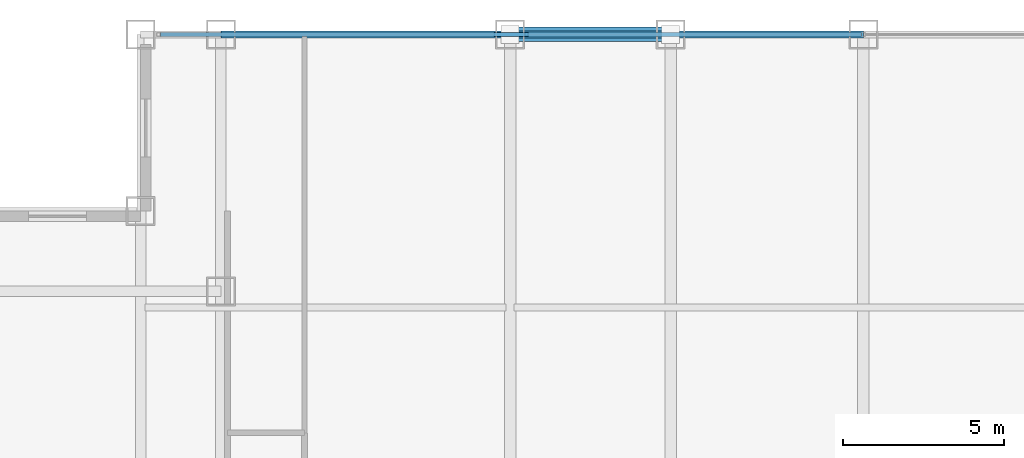
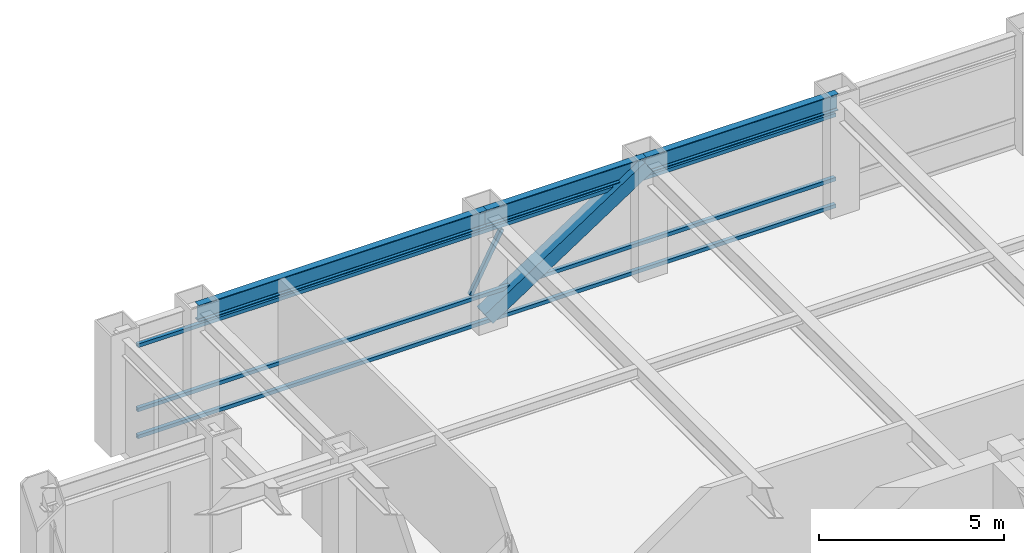
# One storey, part 13 of 22: 5 members, 3 beams, 1 element without a shape of its own.
"""IFC4 building model written with IfcOpenShell, lengths in metres."""

from ifc_helpers import new_model, si_unit, direction, frame, origin, origin_2d, place, context, subcontext, project, spatial, hollow_rectangle, i_section, extrude, source, transform, mapped, material, material_profile, profile_set, type_object, element, aggregate, save


model = new_model("IFC4")

# Units and contexts
model_context = context("Model", 3, precision=1e-05, world=origin(), true_north=direction((0.0, 1.0)))
body_context = subcontext(model_context, "Body", "Model", "MODEL_VIEW")
ifc_project = project(units=[si_unit("LENGTHUNIT", "METRE"), si_unit("AREAUNIT", "SQUARE_METRE"), si_unit("VOLUMEUNIT", "CUBIC_METRE"), si_unit("PLANEANGLEUNIT", "RADIAN"), si_unit("MASSUNIT", "GRAM", prefix="KILO")], contexts=[model_context])

# Site, building, storey
site_placement = place(None, origin())
site = spatial("IfcSite", under=ifc_project, at=site_placement, CompositionType="ELEMENT")
building_placement = place(site_placement, origin())
building = spatial("IfcBuilding", under=site, at=building_placement, Name="Khorayat Bourse Tower", CompositionType="ELEMENT")
storey_placement = place(building_placement, frame((0.0, 0.0, 289.5)))
storey = spatial("IfcBuildingStorey", under=building, at=storey_placement, Name="L68", CompositionType="ELEMENT", Elevation=289.5)

# Member
ifc_material_1 = material(Name="Steel EN 10025-4 S460M", Category="steel")
ifc_material_profile_1 = material_profile(ifc_material_1, hollow_rectangle(XDim=0.449951171875, YDim=0.449951171875, WallThickness=0.02490234375, at=origin_2d()), Name="HSS 450x450x25")
ifc_profile_set_1 = profile_set([ifc_material_profile_1], Name="Steel EN 10025-4 S460M")
member_type_1 = type_object("IfcMemberType", Name="MBR-TUBE-450", PredefinedType="BRACE", material=ifc_profile_set_1)
shared_shape_1 = source(origin(), body_context, "Body", "SweptSolid", [
    extrude(hollow_rectangle(XDim=0.449951171875, YDim=0.449951171875, WallThickness=0.02490234375, at=origin_2d()), origin(), (0.0, 0.0, 1.0), 5.979736328125),
])
member_1_placement = place(storey_placement, frame((-11.0, 28.0, 0.25), z_axis=(0.836141536525, 0.0, 0.548513747227), x_axis=(0.0, 1.0, 0.0)))
element("IfcMember", 1, at=member_1_placement, inside=storey, type_object=member_type_1, Name="L68 Perimeter Tube Brace 03", PredefinedType="BRACE", context=body_context, shape_type="MappedRepresentation", body=[
    mapped(shared_shape_1, transform((0.0, 0.0, 0.0), scale=1.0)),
])

# Beams
ifc_material_2 = material(Name="Steel ASTM A992 Grade 50", Category="steel")
ifc_material_profile_2 = material_profile(ifc_material_2, i_section(OverallWidth=0.214111328125, OverallDepth=0.549072265625, WebThickness=0.0146484375, FlangeThickness=0.023681640625, FilletRadius=0.013916015625, at=origin_2d()), Name="W530X138")
ifc_profile_set_2 = profile_set([ifc_material_profile_2], Name="Steel ASTM A992 Grade 50")
beam_type = type_object("IfcBeamType", Name="BM-SPAN-530", PredefinedType="SPANDREL", material=ifc_profile_set_2)
shared_shape_2 = source(origin(), body_context, "Body", "SweptSolid", [
    extrude(i_section(OverallWidth=0.214111328125, OverallDepth=0.549072265625, WebThickness=0.0146484375, FlangeThickness=0.023681640625, FilletRadius=0.013916015625, at=origin_2d()), origin(), (0.0, 0.0, 1.0), 9.0),
])
beam_1_placement = place(storey_placement, frame((-20.0, 28.0, 3.505615234375), z_axis=(1.0, 0.0, 0.0), x_axis=(0.0, 1.0, 0.0)))
element("IfcBeam", 2, at=beam_1_placement, inside=storey, type_object=beam_type, Name="L68 BM-SPAN-530 BM-L68-SPN-050", PredefinedType="SPANDREL", context=body_context, shape_type="MappedRepresentation", body=[
    mapped(shared_shape_2, transform((0.0, 0.0, 0.0), scale=1.0)),
])
shared_shape_3 = source(origin(), body_context, "Body", "SweptSolid", [
    extrude(i_section(OverallWidth=0.214111328125, OverallDepth=0.549072265625, WebThickness=0.0146484375, FlangeThickness=0.023681640625, FilletRadius=0.013916015625, at=origin_2d()), origin(), (0.0, 0.0, 1.0), 5.0),
])
beam_2_placement = place(storey_placement, frame((-11.0, 28.0, 3.505615234375), z_axis=(1.0, 0.0, 0.0), x_axis=(0.0, 1.0, 0.0)))
element("IfcBeam", 3, at=beam_2_placement, inside=storey, type_object=beam_type, Name="L68 BM-SPAN-530 BM-L68-SPN-049", PredefinedType="SPANDREL", context=body_context, shape_type="MappedRepresentation", body=[
    mapped(shared_shape_3, transform((0.0, 0.0, 0.0), scale=1.0)),
])
shared_shape_4 = source(origin(), body_context, "Body", "SweptSolid", [
    extrude(i_section(OverallWidth=0.214111328125, OverallDepth=0.549072265625, WebThickness=0.0146484375, FlangeThickness=0.023681640625, FilletRadius=0.013916015625, at=origin_2d()), origin(), (0.0, 0.0, 1.0), 6.0),
])
beam_3_placement = place(storey_placement, frame((-6.0, 28.0, 3.505615234375), z_axis=(1.0, 0.0, 0.0), x_axis=(0.0, 1.0, 0.0)))
element("IfcBeam", 4, at=beam_3_placement, inside=storey, type_object=beam_type, Name="L68 BM-SPAN-530 BM-L68-SPN-048", PredefinedType="SPANDREL", context=body_context, shape_type="MappedRepresentation", body=[
    mapped(shared_shape_4, transform((0.0, 0.0, 0.0), scale=1.0)),
])

# Curtain wall, members
ifc_material_3 = material(Name="Aluminium EN AW-6063 T6", Category="aluminium")
curtain_wall_type = type_object("IfcCurtainWallType", Name="CW-SYS-04", PredefinedType="NOTDEFINED", material=ifc_material_3)
curtain_wall_placement = place(storey_placement, origin())
curtain_wall = element("IfcCurtainWall", 5, at=curtain_wall_placement, inside=storey, type_object=curtain_wall_type, Name="L68 Curtain Wall CW-L68-N1", PredefinedType="NOTDEFINED")
ifc_material_profile_3 = material_profile(ifc_material_3, hollow_rectangle(XDim=0.1201171875, YDim=0.1201171875, WallThickness=0.0048828125, at=origin_2d()), Name="ALU 120x120x5")
ifc_profile_set_3 = profile_set([ifc_material_profile_3], Name="Aluminium EN AW-6063 T6")
member_type_2 = type_object("IfcMemberType", Name="CWM-DIAG-120", PredefinedType="MULLION", material=ifc_profile_set_3)
shared_shape_5 = source(origin(), body_context, "Body", "SweptSolid", [
    extrude(hollow_rectangle(XDim=0.1201171875, YDim=0.1201171875, WallThickness=0.0048828125, at=origin_2d()), origin(), (0.0, 0.0, 1.0), 2.0791015625),
])
member_2_placement = place(storey_placement, frame((-11.4541015625, 28.0, 1.090087890625), z_axis=(0.465717394116, 0.0, 0.884933505309), x_axis=(0.0, 1.0, 0.0)))
member_2 = element("IfcMember", 6, at=member_2_placement, type_object=member_type_2, Name="CW-L68-N1 Faceted Diagonal Mullion 1", PredefinedType="MULLION", context=body_context, shape_type="MappedRepresentation", body=[
    mapped(shared_shape_5, transform((0.0, 0.0, 0.0), scale=1.0)),
])
ifc_material_profile_4 = material_profile(ifc_material_3, hollow_rectangle(XDim=0.1201171875, YDim=0.1201171875, WallThickness=0.0048828125, at=origin_2d()), Name="ALU 120x120x5")
ifc_profile_set_4 = profile_set([ifc_material_profile_4], Name="Aluminium EN AW-6063 T6")
member_type_3 = type_object("IfcMemberType", Name="CWT-HORZ-120", PredefinedType="USERDEFINED", material=ifc_profile_set_4)
shared_shape_6 = source(origin(), body_context, "Body", "SweptSolid", [
    extrude(hollow_rectangle(XDim=0.1201171875, YDim=0.1201171875, WallThickness=0.0048828125, at=origin_2d()), origin(), (0.0, 0.0, 1.0), 21.81982421875),
])
member_3_placement = place(storey_placement, frame((-21.8798828125, 28.0, 0.06005859375), z_axis=(1.0, 0.0, 0.0), x_axis=(0.0, 1.0, 0.0)))
member_3 = element("IfcMember", 7, at=member_3_placement, type_object=member_type_3, Name="CW-L68-N1 Horizontal Transom 1-1", ObjectType="TRANSOM", PredefinedType="USERDEFINED", context=body_context, shape_type="MappedRepresentation", body=[
    mapped(shared_shape_6, transform((0.0, 0.0, 0.0), scale=1.0)),
])
member_4_placement = place(storey_placement, frame((-21.8798828125, 28.0, 0.949951171875), z_axis=(1.0, 0.0, 0.0), x_axis=(0.0, 1.0, 0.0)))
member_4 = element("IfcMember", 8, at=member_4_placement, type_object=member_type_3, Name="CW-L68-N1 Horizontal Transom 1-2", ObjectType="TRANSOM", PredefinedType="USERDEFINED", context=body_context, shape_type="MappedRepresentation", body=[
    mapped(shared_shape_6, transform((0.0, 0.0, 0.0), scale=1.0)),
])
member_5_placement = place(storey_placement, frame((-21.8798828125, 28.0, 3.070068359375), z_axis=(1.0, 0.0, 0.0), x_axis=(0.0, 1.0, 0.0)))
member_5 = element("IfcMember", 9, at=member_5_placement, type_object=member_type_3, Name="CW-L68-N1 Horizontal Transom 1-3", ObjectType="TRANSOM", PredefinedType="USERDEFINED", context=body_context, shape_type="MappedRepresentation", body=[
    mapped(shared_shape_6, transform((0.0, 0.0, 0.0), scale=1.0)),
])
aggregate(curtain_wall, [member_3, member_4, member_5, member_2])

save(model, "model.ifc")
